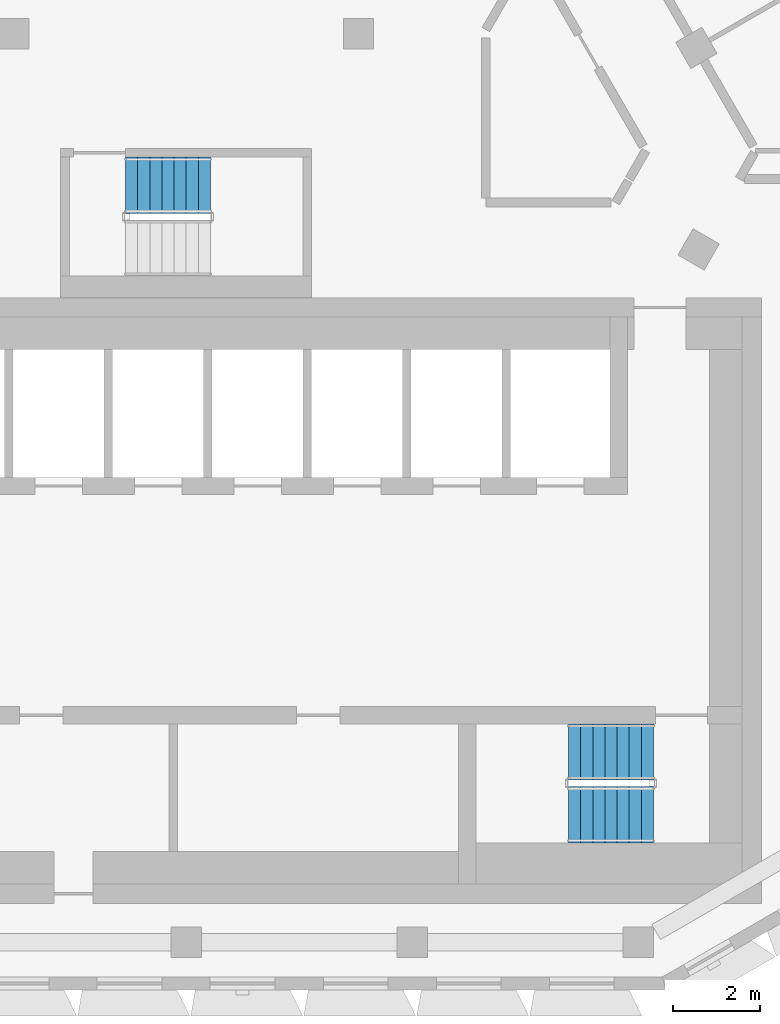
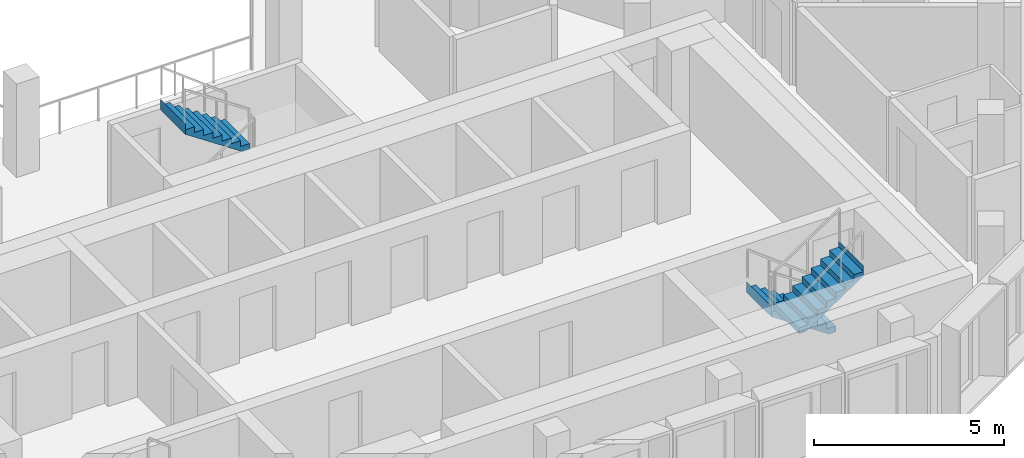
# One storey, part 11 of 16: 3 stair flights, 2 elements without a shape of their own.
"""IFC4 building model written with IfcOpenShell, lengths in metres."""

import ifcopenshell
import ifcopenshell.guid

model = None  # the IFC model being written
_history = None  # IfcOwnerHistory: only IFC2X3 demands one
_inside = {}  # id of a spatial element -> (the spatial element, [elements in it])
_under = {}  # id of a project, library or spatial element -> (it, [spatial elements below it])
_declared = {}  # id of a project -> (the project, [libraries it declares])
_typed = {}  # id of a type object -> (the type object, [elements of that type])
_made_of = {}  # id of a material, layer set ... -> (it, [elements and type objects made of it])


def new_model(schema):
    """Start an empty IFC model of exactly this schema.

    Asked for "IFC4X3", IfcOpenShell would pick the latest addendum, in which some entities
    have other attributes; the version numbers below select the first issue.
    IFC2X3 requires an IfcOwnerHistory on every rooted entity: one is made here for all.
    """
    global model, _history
    if schema == "IFC4X3":
        model = ifcopenshell.file(schema_version=(4, 3, 0, 0))
    else:
        model = ifcopenshell.file(schema=schema)
    _inside.clear()
    _under.clear()
    _declared.clear()
    _typed.clear()
    _made_of.clear()
    _history = None
    if model.schema == "IFC2X3":
        org = make("IfcOrganization", Name="unknown")
        user = make(
            "IfcPersonAndOrganization",
            ThePerson=make("IfcPerson", FamilyName="unknown"),
            TheOrganization=org,
        )
        app = make(
            "IfcApplication",
            ApplicationDeveloper=org,
            Version="unknown",
            ApplicationFullName="unknown",
            ApplicationIdentifier="unknown",
        )
        _history = make(
            "IfcOwnerHistory",
            OwningUser=user,
            OwningApplication=app,
            ChangeAction="ADDED",
            CreationDate=0,
        )
    return model


def make(cls, **values):
    """One entity of the class cls with the attributes given. An attribute that is None is left unset."""
    return model.create_entity(
        cls, **{name: value for name, value in values.items() if value is not None}
    )


def rooted(cls, **values):
    """An entity with a GlobalId (a new one), such as an element, a storey or a relation."""
    return make(cls, GlobalId=ifcopenshell.guid.new(), OwnerHistory=_history, **values)


def si_unit(unit_type, name, prefix=None):
    """IfcSIUnit, for example si_unit("LENGTHUNIT", "METRE", prefix="MILLI")."""
    return make("IfcSIUnit", UnitType=unit_type, Prefix=prefix, Name=name)


def assignment(units):
    """IfcUnitAssignment: the units of a project."""
    return None if units is None else make("IfcUnitAssignment", Units=units)


def point(xyz):
    """IfcCartesianPoint."""
    return None if xyz is None else make("IfcCartesianPoint", Coordinates=xyz)


def direction(xyz):
    """IfcDirection."""
    return None if xyz is None else make("IfcDirection", DirectionRatios=xyz)


def frame(location, z_axis=None, x_axis=None):
    """IfcAxis2Placement3D, a coordinate frame: its origin and axes. An axis left out is left unset."""
    return make(
        "IfcAxis2Placement3D",
        Location=point(location),
        Axis=direction(z_axis),
        RefDirection=direction(x_axis),
    )


def origin():
    """The frame at (0, 0, 0) with its axes left unset."""
    return frame((0.0, 0.0, 0.0))


def place(relative_to, where):
    """IfcLocalPlacement: puts the frame where relative to a parent placement (None: the world)."""
    return make(
        "IfcLocalPlacement", PlacementRelTo=relative_to, RelativePlacement=where
    )


def context(
    kind, dimensions, precision=None, world=None, true_north=None, identifier=None
):
    """IfcGeometricRepresentationContext, for example the 3D "Model" context."""
    return make(
        "IfcGeometricRepresentationContext",
        ContextIdentifier=identifier,
        ContextType=kind,
        CoordinateSpaceDimension=dimensions,
        Precision=precision,
        WorldCoordinateSystem=world,
        TrueNorth=true_north,
    )


def subcontext(parent, identifier, kind, view, scale=None):
    """IfcGeometricRepresentationSubContext, for example "Body" below "Model"."""
    return make(
        "IfcGeometricRepresentationSubContext",
        ContextIdentifier=identifier,
        ContextType=kind,
        ParentContext=parent,
        TargetScale=scale,
        TargetView=view,
    )


def project(units=None, contexts=None):
    """IfcProject with its units and contexts."""
    return rooted(
        "IfcProject",
        Name="project",
        RepresentationContexts=contexts,
        UnitsInContext=assignment(units),
    )


def spatial(cls, under=None, at=None, **own):
    """A site, building, storey or space (cls), placed at a placement, below another one or the project."""
    s = rooted(cls, ObjectPlacement=at, **own)
    if under is not None:
        _under.setdefault(under.id(), (under, []))[1].append(s)
    return s


def point_list(points):
    """IfcCartesianPointList2D or 3D."""
    cls = (
        "IfcCartesianPointList2D" if len(points[0]) == 2 else "IfcCartesianPointList3D"
    )
    return make(cls, CoordList=points)


def triangles(points, corners, closed=None, point_numbers=None):
    """IfcTriangulatedFaceSet: each triangle names its three corners, points numbered from 1."""
    return make(
        "IfcTriangulatedFaceSet",
        Coordinates=point_list(points),
        Closed=closed,
        CoordIndex=corners,
        PnIndex=point_numbers,
    )


def shape(context_of_items, identifier, shape_type, items):
    """IfcShapeRepresentation: the items that make up one representation, for example the "Body"."""
    return make(
        "IfcShapeRepresentation",
        ContextOfItems=context_of_items,
        RepresentationIdentifier=identifier,
        RepresentationType=shape_type,
        Items=items,
    )


def material(Name=None, Category=None):
    """IfcMaterial."""
    return make("IfcMaterial", Name=Name, Category=Category)


def made_of(thing, what):
    """Note that an element or type object is made of a material, layer set ...; save() writes the relation."""
    if what is not None:
        _made_of.setdefault(what.id(), (what, []))[1].append(thing)
    return thing


def type_object(cls, material=None, **own):
    """A type object (cls), such as IfcWallType, which elements share."""
    return made_of(rooted(cls, **own), material)


def element(
    cls,
    number,
    at=None,
    inside=None,
    cuts=None,
    type_object=None,
    material=None,
    context=None,
    identifier="Body",
    shape_type=None,
    held_by="IfcProductDefinitionShape",
    body=None,
    shapes=None,
    **own,
):
    """One element of the class cls, such as IfcWall. Its Tag is "e" and its number.

    at: its placement. inside: the storey or other place that contains it. cuts: it is an
    opening in that element (IfcRelVoidsElement). A single representation is given by context,
    identifier, shape_type and body (its items); several are given by shapes. held_by: the class
    of the entity that holds the representations. save() writes the other relations.
    """
    e = rooted(cls, Tag="e%d" % number, ObjectPlacement=at, **own)
    if body is not None:
        shapes = [shape(context, identifier, shape_type, body)]
    if shapes is not None:
        e.Representation = make(held_by, Representations=shapes)
    if inside is not None:
        _inside.setdefault(inside.id(), (inside, []))[1].append(e)
    if cuts is not None:
        rooted(
            "IfcRelVoidsElement", RelatingBuildingElement=cuts, RelatedOpeningElement=e
        )
    if type_object is not None:
        _typed.setdefault(type_object.id(), (type_object, []))[1].append(e)
    return made_of(e, material)


def aggregate(whole, parts):
    """IfcRelAggregates: a whole, such as a stair, and the parts it consists of."""
    return rooted("IfcRelAggregates", RelatingObject=whole, RelatedObjects=parts)


def save(model, path):
    """Write the relations noted so far, then the file.

    IfcRelAggregates (storeys below a building ...), IfcRelContainedInSpatialStructure (elements
    in a storey), IfcRelDefinesByType, IfcRelAssociatesMaterial and IfcRelDeclares: one each for
    every whole, place, type object, material and project.
    """
    for whole, parts in _under.values():
        aggregate(whole, parts)
    for where, things in _inside.values():
        rooted(
            "IfcRelContainedInSpatialStructure",
            RelatedElements=things,
            RelatingStructure=where,
        )
    for kind, things in _typed.values():
        rooted("IfcRelDefinesByType", RelatedObjects=things, RelatingType=kind)
    for what, things in _made_of.values():
        rooted("IfcRelAssociatesMaterial", RelatedObjects=things, RelatingMaterial=what)
    for by, libraries in _declared.values():
        rooted("IfcRelDeclares", RelatingContext=by, RelatedDefinitions=libraries)
    model.write(path)


model = new_model("IFC4")

# Units and contexts
model_context = context("Model", 3, precision=1e-05, world=origin(), true_north=direction((0.0, 1.0)))
body_context = subcontext(model_context, "Body", "Model", "MODEL_VIEW")
ifc_project = project(units=[si_unit("LENGTHUNIT", "METRE"), si_unit("AREAUNIT", "SQUARE_METRE"), si_unit("VOLUMEUNIT", "CUBIC_METRE"), si_unit("PLANEANGLEUNIT", "RADIAN"), si_unit("MASSUNIT", "GRAM", prefix="KILO")], contexts=[model_context])

# Site, building, storey
site_placement = place(None, origin())
site = spatial("IfcSite", under=ifc_project, at=site_placement, CompositionType="ELEMENT")
building_placement = place(site_placement, origin())
building = spatial("IfcBuilding", under=site, at=building_placement, Name="Beryl Residences", CompositionType="ELEMENT")
storey_placement = place(building_placement, frame((0.0, 0.0, 208.800048828125)))
storey = spatial("IfcBuildingStorey", under=building, at=storey_placement, Name="L64", CompositionType="ELEMENT", Elevation=208.800048828125)

# Stair, stair flights
ifc_material_1 = material(Name="Concrete C40/50", Category="concrete")
stair_type = type_object("IfcStairType", Name="ST1 protected exit stair, half-turn, 1300 mm flights", PredefinedType="HALF_TURN_STAIR", material=ifc_material_1)
stair_1_placement = place(storey_placement, origin())
stair_1 = element("IfcStair", 1, at=stair_1_placement, inside=storey, type_object=stair_type, Name="L64 PROTECTED EXIT STAIR ST-3", PredefinedType="HALF_TURN_STAIR")
ifc_material_2 = material(Name="Concrete C40/50", Category="concrete")
stair_flight_type = type_object("IfcStairFlightType", Name="SF1 stair flight 1300 mm", PredefinedType="STRAIGHT", material=ifc_material_2)
stair_flight_1_placement = place(storey_placement, frame((10.800048828125, -15.5, 0.0), z_axis=(0.0, 0.0, 1.0), x_axis=(-1.0, 0.0, 0.0)))
stair_flight_1 = element("IfcStairFlight", 2, at=stair_flight_1_placement, type_object=stair_flight_type, Name="ST-3 flight 1", NumberOfRisers=8, NumberOfTreads=7, PredefinedType="STRAIGHT", RiserHeight=0.1875, TreadLength=0.28, context=body_context, shape_type="Tessellation", body=[
    triangles([(0.0, -0.64990234375, 0.0), (0.0, -0.324951171875, 0.0), (0.0, 0.0, 0.0), (0.0, 0.324951171875, 0.0), (0.0, 0.64990234375, 0.0), (0.0, -0.64990234375, 0.1875), (0.0, -0.324951171875, 0.1875), (0.0, 0.0, 0.1875), (0.0, 0.324951171875, 0.1875), (0.0, 0.64990234375, 0.1875), (0.280029296875, -0.64990234375, 0.1875), (0.280029296875, -0.324951171875, 0.1875), (0.280029296875, 0.0, 0.1875), (0.280029296875, 0.324951171875, 0.1875), (0.280029296875, 0.64990234375, 0.1875), (0.280029296875, -0.64990234375, 0.375), (0.280029296875, -0.324951171875, 0.375), (0.280029296875, 0.0, 0.375), (0.280029296875, 0.324951171875, 0.375), (0.280029296875, 0.64990234375, 0.375), (0.56005859375, -0.64990234375, 0.375), (0.56005859375, -0.324951171875, 0.375), (0.56005859375, 0.0, 0.375), (0.56005859375, 0.324951171875, 0.375), (0.56005859375, 0.64990234375, 0.375), (0.56005859375, -0.64990234375, 0.5625), (0.56005859375, -0.324951171875, 0.5625), (0.56005859375, 0.0, 0.5625), (0.56005859375, 0.324951171875, 0.5625), (0.56005859375, 0.64990234375, 0.5625), (0.840087890625, -0.64990234375, 0.5625), (0.840087890625, -0.324951171875, 0.5625), (0.840087890625, 0.0, 0.5625), (0.840087890625, 0.324951171875, 0.5625), (0.840087890625, 0.64990234375, 0.5625), (0.840087890625, -0.64990234375, 0.75), (0.840087890625, -0.324951171875, 0.75), (0.840087890625, 0.0, 0.75), (0.840087890625, 0.324951171875, 0.75), (0.840087890625, 0.64990234375, 0.75), (1.1201171875, -0.64990234375, 0.75), (1.1201171875, -0.324951171875, 0.75), (1.1201171875, 0.0, 0.75), (1.1201171875, 0.324951171875, 0.75), (1.1201171875, 0.64990234375, 0.75), (1.1201171875, -0.64990234375, 0.9375), (1.1201171875, -0.324951171875, 0.9375), (1.1201171875, 0.0, 0.9375), (1.1201171875, 0.324951171875, 0.9375), (1.1201171875, 0.64990234375, 0.9375), (1.39990234375, -0.64990234375, 0.9375), (1.39990234375, -0.324951171875, 0.9375), (1.39990234375, 0.0, 0.9375), (1.39990234375, 0.324951171875, 0.9375), (1.39990234375, 0.64990234375, 0.9375), (1.39990234375, -0.64990234375, 1.125), (1.39990234375, -0.324951171875, 1.125), (1.39990234375, 0.0, 1.125), (1.39990234375, 0.324951171875, 1.125), (1.39990234375, 0.64990234375, 1.125), (1.679931640625, -0.64990234375, 1.125), (1.679931640625, -0.324951171875, 1.125), (1.679931640625, 0.0, 1.125), (1.679931640625, 0.324951171875, 1.125), (1.679931640625, 0.64990234375, 1.125), (1.679931640625, -0.64990234375, 1.3125), (1.679931640625, -0.324951171875, 1.3125), (1.679931640625, 0.0, 1.3125), (1.679931640625, 0.324951171875, 1.3125), (1.679931640625, 0.64990234375, 1.3125), (1.9599609375, -0.64990234375, 1.3125), (1.9599609375, -0.324951171875, 1.3125), (1.9599609375, 0.0, 1.3125), (1.9599609375, 0.324951171875, 1.3125), (1.9599609375, 0.64990234375, 1.3125), (1.9599609375, -0.64990234375, 1.5), (1.9599609375, -0.324951171875, 1.5), (1.9599609375, 0.0, 1.5), (1.9599609375, 0.324951171875, 1.5), (1.9599609375, 0.64990234375, 1.5), (1.9609375, -0.64990234375, 1.5), (1.9609375, -0.324951171875, 1.5), (1.9609375, 0.0, 1.5), (1.9609375, 0.324951171875, 1.5), (1.9609375, 0.64990234375, 1.5), (1.9609375, -0.64990234375, 1.16796875), (1.9609375, -0.324951171875, 1.16796875), (1.9609375, 0.0, 1.16796875), (1.9609375, 0.324951171875, 1.16796875), (1.9609375, 0.64990234375, 1.16796875), (0.216796875, -0.64990234375, 0.0), (0.216796875, -0.324951171875, 0.0), (0.216796875, 0.0, 0.0), (0.216796875, 0.324951171875, 0.0), (0.216796875, 0.64990234375, 0.0)], [[1, 6, 7], [1, 7, 2], [2, 7, 8], [2, 8, 3], [3, 8, 9], [3, 9, 4], [4, 9, 10], [4, 10, 5], [6, 11, 12], [6, 12, 7], [7, 12, 13], [7, 13, 8], [8, 13, 14], [8, 14, 9], [9, 14, 15], [9, 15, 10], [11, 16, 17], [11, 17, 12], [12, 17, 18], [12, 18, 13], [13, 18, 19], [13, 19, 14], [14, 19, 20], [14, 20, 15], [16, 21, 22], [16, 22, 17], [17, 22, 23], [17, 23, 18], [18, 23, 24], [18, 24, 19], [19, 24, 25], [19, 25, 20], [21, 26, 27], [21, 27, 22], [22, 27, 28], [22, 28, 23], [23, 28, 29], [23, 29, 24], [24, 29, 30], [24, 30, 25], [26, 31, 32], [26, 32, 27], [27, 32, 33], [27, 33, 28], [28, 33, 34], [28, 34, 29], [29, 34, 35], [29, 35, 30], [31, 36, 37], [31, 37, 32], [32, 37, 38], [32, 38, 33], [33, 38, 39], [33, 39, 34], [34, 39, 40], [34, 40, 35], [36, 41, 42], [36, 42, 37], [37, 42, 43], [37, 43, 38], [38, 43, 44], [38, 44, 39], [39, 44, 45], [39, 45, 40], [41, 46, 47], [41, 47, 42], [42, 47, 48], [42, 48, 43], [43, 48, 49], [43, 49, 44], [44, 49, 50], [44, 50, 45], [46, 51, 52], [46, 52, 47], [47, 52, 53], [47, 53, 48], [48, 53, 54], [48, 54, 49], [49, 54, 55], [49, 55, 50], [51, 56, 57], [51, 57, 52], [52, 57, 58], [52, 58, 53], [53, 58, 59], [53, 59, 54], [54, 59, 60], [54, 60, 55], [56, 61, 62], [56, 62, 57], [57, 62, 63], [57, 63, 58], [58, 63, 64], [58, 64, 59], [59, 64, 65], [59, 65, 60], [61, 66, 67], [61, 67, 62], [62, 67, 68], [62, 68, 63], [63, 68, 69], [63, 69, 64], [64, 69, 70], [64, 70, 65], [66, 71, 72], [66, 72, 67], [67, 72, 73], [67, 73, 68], [68, 73, 74], [68, 74, 69], [69, 74, 75], [69, 75, 70], [71, 76, 77], [71, 77, 72], [72, 77, 78], [72, 78, 73], [73, 78, 79], [73, 79, 74], [74, 79, 80], [74, 80, 75], [76, 81, 82], [76, 82, 77], [77, 82, 83], [77, 83, 78], [78, 83, 84], [78, 84, 79], [79, 84, 85], [79, 85, 80], [81, 86, 87], [81, 87, 82], [82, 87, 88], [82, 88, 83], [83, 88, 89], [83, 89, 84], [84, 89, 90], [84, 90, 85], [86, 91, 92], [86, 92, 87], [87, 92, 93], [87, 93, 88], [88, 93, 94], [88, 94, 89], [89, 94, 95], [89, 95, 90], [91, 1, 2], [91, 2, 92], [92, 2, 3], [92, 3, 93], [93, 3, 4], [93, 4, 94], [94, 4, 5], [94, 5, 95], [1, 91, 86], [5, 90, 95], [86, 81, 76], [90, 80, 85], [86, 76, 71], [90, 75, 80], [86, 71, 66], [90, 70, 75], [86, 66, 61], [90, 65, 70], [61, 56, 51], [65, 55, 60], [86, 61, 51], [90, 55, 65], [51, 46, 41], [55, 45, 50], [86, 51, 41], [90, 45, 55], [41, 36, 31], [45, 35, 40], [86, 41, 31], [90, 35, 45], [31, 26, 21], [35, 25, 30], [86, 31, 21], [90, 25, 35], [21, 16, 11], [25, 15, 20], [86, 21, 11], [90, 15, 25], [1, 86, 11], [5, 15, 90], [11, 6, 1], [15, 5, 10]], closed=True),
])
stair_flight_2_placement = place(storey_placement, frame((8.840087890625, -16.949951171875, 1.5), z_axis=(0.0, 0.0, 1.0), x_axis=(1.0, 0.0, 0.0)))
stair_flight_2 = element("IfcStairFlight", 3, at=stair_flight_2_placement, type_object=stair_flight_type, Name="ST-3 flight 2", NumberOfRisers=8, NumberOfTreads=7, PredefinedType="STRAIGHT", RiserHeight=0.1875, TreadLength=0.28, context=body_context, shape_type="Tessellation", body=[
    triangles([(0.0, -0.64990234375, 0.0), (0.0, -0.324951171875, 0.0), (0.0, 0.0, 0.0), (0.0, 0.324951171875, 0.0), (0.0, 0.64990234375, 0.0), (0.0, -0.64990234375, 0.1875), (0.0, -0.324951171875, 0.1875), (0.0, 0.0, 0.1875), (0.0, 0.324951171875, 0.1875), (0.0, 0.64990234375, 0.1875), (0.280029296875, -0.64990234375, 0.1875), (0.280029296875, -0.324951171875, 0.1875), (0.280029296875, 0.0, 0.1875), (0.280029296875, 0.324951171875, 0.1875), (0.280029296875, 0.64990234375, 0.1875), (0.280029296875, -0.64990234375, 0.375), (0.280029296875, -0.324951171875, 0.375), (0.280029296875, 0.0, 0.375), (0.280029296875, 0.324951171875, 0.375), (0.280029296875, 0.64990234375, 0.375), (0.56005859375, -0.64990234375, 0.375), (0.56005859375, -0.324951171875, 0.375), (0.56005859375, 0.0, 0.375), (0.56005859375, 0.324951171875, 0.375), (0.56005859375, 0.64990234375, 0.375), (0.56005859375, -0.64990234375, 0.5625), (0.56005859375, -0.324951171875, 0.5625), (0.56005859375, 0.0, 0.5625), (0.56005859375, 0.324951171875, 0.5625), (0.56005859375, 0.64990234375, 0.5625), (0.840087890625, -0.64990234375, 0.5625), (0.840087890625, -0.324951171875, 0.5625), (0.840087890625, 0.0, 0.5625), (0.840087890625, 0.324951171875, 0.5625), (0.840087890625, 0.64990234375, 0.5625), (0.840087890625, -0.64990234375, 0.75), (0.840087890625, -0.324951171875, 0.75), (0.840087890625, 0.0, 0.75), (0.840087890625, 0.324951171875, 0.75), (0.840087890625, 0.64990234375, 0.75), (1.1201171875, -0.64990234375, 0.75), (1.1201171875, -0.324951171875, 0.75), (1.1201171875, 0.0, 0.75), (1.1201171875, 0.324951171875, 0.75), (1.1201171875, 0.64990234375, 0.75), (1.1201171875, -0.64990234375, 0.9375), (1.1201171875, -0.324951171875, 0.9375), (1.1201171875, 0.0, 0.9375), (1.1201171875, 0.324951171875, 0.9375), (1.1201171875, 0.64990234375, 0.9375), (1.39990234375, -0.64990234375, 0.9375), (1.39990234375, -0.324951171875, 0.9375), (1.39990234375, 0.0, 0.9375), (1.39990234375, 0.324951171875, 0.9375), (1.39990234375, 0.64990234375, 0.9375), (1.39990234375, -0.64990234375, 1.125), (1.39990234375, -0.324951171875, 1.125), (1.39990234375, 0.0, 1.125), (1.39990234375, 0.324951171875, 1.125), (1.39990234375, 0.64990234375, 1.125), (1.679931640625, -0.64990234375, 1.125), (1.679931640625, -0.324951171875, 1.125), (1.679931640625, 0.0, 1.125), (1.679931640625, 0.324951171875, 1.125), (1.679931640625, 0.64990234375, 1.125), (1.679931640625, -0.64990234375, 1.3125), (1.679931640625, -0.324951171875, 1.3125), (1.679931640625, 0.0, 1.3125), (1.679931640625, 0.324951171875, 1.3125), (1.679931640625, 0.64990234375, 1.3125), (1.9599609375, -0.64990234375, 1.3125), (1.9599609375, -0.324951171875, 1.3125), (1.9599609375, 0.0, 1.3125), (1.9599609375, 0.324951171875, 1.3125), (1.9599609375, 0.64990234375, 1.3125), (1.9599609375, -0.64990234375, 1.5), (1.9599609375, -0.324951171875, 1.5), (1.9599609375, 0.0, 1.5), (1.9599609375, 0.324951171875, 1.5), (1.9599609375, 0.64990234375, 1.5), (1.9609375, -0.64990234375, 1.5), (1.9609375, -0.324951171875, 1.5), (1.9609375, 0.0, 1.5), (1.9609375, 0.324951171875, 1.5), (1.9609375, 0.64990234375, 1.5), (1.9609375, -0.64990234375, 1.16796875), (1.9609375, -0.324951171875, 1.16796875), (1.9609375, 0.0, 1.16796875), (1.9609375, 0.324951171875, 1.16796875), (1.9609375, 0.64990234375, 1.16796875), (0.216796875, -0.64990234375, 0.0), (0.216796875, -0.324951171875, 0.0), (0.216796875, 0.0, 0.0), (0.216796875, 0.324951171875, 0.0), (0.216796875, 0.64990234375, 0.0)], [[1, 6, 7], [1, 7, 2], [2, 7, 8], [2, 8, 3], [3, 8, 9], [3, 9, 4], [4, 9, 10], [4, 10, 5], [6, 11, 12], [6, 12, 7], [7, 12, 13], [7, 13, 8], [8, 13, 14], [8, 14, 9], [9, 14, 15], [9, 15, 10], [11, 16, 17], [11, 17, 12], [12, 17, 18], [12, 18, 13], [13, 18, 19], [13, 19, 14], [14, 19, 20], [14, 20, 15], [16, 21, 22], [16, 22, 17], [17, 22, 23], [17, 23, 18], [18, 23, 24], [18, 24, 19], [19, 24, 25], [19, 25, 20], [21, 26, 27], [21, 27, 22], [22, 27, 28], [22, 28, 23], [23, 28, 29], [23, 29, 24], [24, 29, 30], [24, 30, 25], [26, 31, 32], [26, 32, 27], [27, 32, 33], [27, 33, 28], [28, 33, 34], [28, 34, 29], [29, 34, 35], [29, 35, 30], [31, 36, 37], [31, 37, 32], [32, 37, 38], [32, 38, 33], [33, 38, 39], [33, 39, 34], [34, 39, 40], [34, 40, 35], [36, 41, 42], [36, 42, 37], [37, 42, 43], [37, 43, 38], [38, 43, 44], [38, 44, 39], [39, 44, 45], [39, 45, 40], [41, 46, 47], [41, 47, 42], [42, 47, 48], [42, 48, 43], [43, 48, 49], [43, 49, 44], [44, 49, 50], [44, 50, 45], [46, 51, 52], [46, 52, 47], [47, 52, 53], [47, 53, 48], [48, 53, 54], [48, 54, 49], [49, 54, 55], [49, 55, 50], [51, 56, 57], [51, 57, 52], [52, 57, 58], [52, 58, 53], [53, 58, 59], [53, 59, 54], [54, 59, 60], [54, 60, 55], [56, 61, 62], [56, 62, 57], [57, 62, 63], [57, 63, 58], [58, 63, 64], [58, 64, 59], [59, 64, 65], [59, 65, 60], [61, 66, 67], [61, 67, 62], [62, 67, 68], [62, 68, 63], [63, 68, 69], [63, 69, 64], [64, 69, 70], [64, 70, 65], [66, 71, 72], [66, 72, 67], [67, 72, 73], [67, 73, 68], [68, 73, 74], [68, 74, 69], [69, 74, 75], [69, 75, 70], [71, 76, 77], [71, 77, 72], [72, 77, 78], [72, 78, 73], [73, 78, 79], [73, 79, 74], [74, 79, 80], [74, 80, 75], [76, 81, 82], [76, 82, 77], [77, 82, 83], [77, 83, 78], [78, 83, 84], [78, 84, 79], [79, 84, 85], [79, 85, 80], [81, 86, 87], [81, 87, 82], [82, 87, 88], [82, 88, 83], [83, 88, 89], [83, 89, 84], [84, 89, 90], [84, 90, 85], [86, 91, 92], [86, 92, 87], [87, 92, 93], [87, 93, 88], [88, 93, 94], [88, 94, 89], [89, 94, 95], [89, 95, 90], [91, 1, 2], [91, 2, 92], [92, 2, 3], [92, 3, 93], [93, 3, 4], [93, 4, 94], [94, 4, 5], [94, 5, 95], [1, 91, 86], [5, 90, 95], [86, 81, 76], [90, 80, 85], [86, 76, 71], [90, 75, 80], [86, 71, 66], [90, 70, 75], [86, 66, 61], [90, 65, 70], [61, 56, 51], [65, 55, 60], [86, 61, 51], [90, 55, 65], [51, 46, 41], [55, 45, 50], [86, 51, 41], [90, 45, 55], [41, 36, 31], [45, 35, 40], [86, 41, 31], [90, 35, 45], [31, 26, 21], [35, 25, 30], [86, 31, 21], [90, 25, 35], [21, 16, 11], [25, 15, 20], [86, 21, 11], [90, 15, 25], [1, 86, 11], [5, 15, 90], [11, 6, 1], [15, 5, 10]], closed=True),
])
aggregate(stair_1, [stair_flight_1, stair_flight_2])

# Stair, stair flight
stair_2_placement = place(storey_placement, origin())
stair_2 = element("IfcStair", 4, at=stair_2_placement, inside=storey, type_object=stair_type, Name="L64 PROTECTED EXIT STAIR ST-4", PredefinedType="HALF_TURN_STAIR")
stair_flight_3_placement = place(storey_placement, frame((0.56005859375, -2.39990234375, 1.5), z_axis=(0.0, 0.0, 1.0), x_axis=(-1.0, 0.0, 0.0)))
stair_flight_3 = element("IfcStairFlight", 5, at=stair_flight_3_placement, type_object=stair_flight_type, Name="ST-4 flight 2", NumberOfRisers=8, NumberOfTreads=7, PredefinedType="STRAIGHT", RiserHeight=0.1875, TreadLength=0.28, context=body_context, shape_type="Tessellation", body=[
    triangles([(0.0, -0.64990234375, 0.0), (0.0, -0.324951171875, 0.0), (0.0, 0.0, 0.0), (0.0, 0.324951171875, 0.0), (0.0, 0.64990234375, 0.0), (0.0, -0.64990234375, 0.1875), (0.0, -0.324951171875, 0.1875), (0.0, 0.0, 0.1875), (0.0, 0.324951171875, 0.1875), (0.0, 0.64990234375, 0.1875), (0.280029296875, -0.64990234375, 0.1875), (0.280029296875, -0.324951171875, 0.1875), (0.280029296875, 0.0, 0.1875), (0.280029296875, 0.324951171875, 0.1875), (0.280029296875, 0.64990234375, 0.1875), (0.280029296875, -0.64990234375, 0.375), (0.280029296875, -0.324951171875, 0.375), (0.280029296875, 0.0, 0.375), (0.280029296875, 0.324951171875, 0.375), (0.280029296875, 0.64990234375, 0.375), (0.56005859375, -0.64990234375, 0.375), (0.56005859375, -0.324951171875, 0.375), (0.56005859375, 0.0, 0.375), (0.56005859375, 0.324951171875, 0.375), (0.56005859375, 0.64990234375, 0.375), (0.56005859375, -0.64990234375, 0.5625), (0.56005859375, -0.324951171875, 0.5625), (0.56005859375, 0.0, 0.5625), (0.56005859375, 0.324951171875, 0.5625), (0.56005859375, 0.64990234375, 0.5625), (0.840087890625, -0.64990234375, 0.5625), (0.840087890625, -0.324951171875, 0.5625), (0.840087890625, 0.0, 0.5625), (0.840087890625, 0.324951171875, 0.5625), (0.840087890625, 0.64990234375, 0.5625), (0.840087890625, -0.64990234375, 0.75), (0.840087890625, -0.324951171875, 0.75), (0.840087890625, 0.0, 0.75), (0.840087890625, 0.324951171875, 0.75), (0.840087890625, 0.64990234375, 0.75), (1.1201171875, -0.64990234375, 0.75), (1.1201171875, -0.324951171875, 0.75), (1.1201171875, 0.0, 0.75), (1.1201171875, 0.324951171875, 0.75), (1.1201171875, 0.64990234375, 0.75), (1.1201171875, -0.64990234375, 0.9375), (1.1201171875, -0.324951171875, 0.9375), (1.1201171875, 0.0, 0.9375), (1.1201171875, 0.324951171875, 0.9375), (1.1201171875, 0.64990234375, 0.9375), (1.39990234375, -0.64990234375, 0.9375), (1.39990234375, -0.324951171875, 0.9375), (1.39990234375, 0.0, 0.9375), (1.39990234375, 0.324951171875, 0.9375), (1.39990234375, 0.64990234375, 0.9375), (1.39990234375, -0.64990234375, 1.125), (1.39990234375, -0.324951171875, 1.125), (1.39990234375, 0.0, 1.125), (1.39990234375, 0.324951171875, 1.125), (1.39990234375, 0.64990234375, 1.125), (1.679931640625, -0.64990234375, 1.125), (1.679931640625, -0.324951171875, 1.125), (1.679931640625, 0.0, 1.125), (1.679931640625, 0.324951171875, 1.125), (1.679931640625, 0.64990234375, 1.125), (1.679931640625, -0.64990234375, 1.3125), (1.679931640625, -0.324951171875, 1.3125), (1.679931640625, 0.0, 1.3125), (1.679931640625, 0.324951171875, 1.3125), (1.679931640625, 0.64990234375, 1.3125), (1.9599609375, -0.64990234375, 1.3125), (1.9599609375, -0.324951171875, 1.3125), (1.9599609375, 0.0, 1.3125), (1.9599609375, 0.324951171875, 1.3125), (1.9599609375, 0.64990234375, 1.3125), (1.9599609375, -0.64990234375, 1.5), (1.9599609375, -0.324951171875, 1.5), (1.9599609375, 0.0, 1.5), (1.9599609375, 0.324951171875, 1.5), (1.9599609375, 0.64990234375, 1.5), (1.9609375, -0.64990234375, 1.5), (1.9609375, -0.324951171875, 1.5), (1.9609375, 0.0, 1.5), (1.9609375, 0.324951171875, 1.5), (1.9609375, 0.64990234375, 1.5), (1.9609375, -0.64990234375, 1.16796875), (1.9609375, -0.324951171875, 1.16796875), (1.9609375, 0.0, 1.16796875), (1.9609375, 0.324951171875, 1.16796875), (1.9609375, 0.64990234375, 1.16796875), (0.216796875, -0.64990234375, 0.0), (0.216796875, -0.324951171875, 0.0), (0.216796875, 0.0, 0.0), (0.216796875, 0.324951171875, 0.0), (0.216796875, 0.64990234375, 0.0)], [[1, 6, 7], [1, 7, 2], [2, 7, 8], [2, 8, 3], [3, 8, 9], [3, 9, 4], [4, 9, 10], [4, 10, 5], [6, 11, 12], [6, 12, 7], [7, 12, 13], [7, 13, 8], [8, 13, 14], [8, 14, 9], [9, 14, 15], [9, 15, 10], [11, 16, 17], [11, 17, 12], [12, 17, 18], [12, 18, 13], [13, 18, 19], [13, 19, 14], [14, 19, 20], [14, 20, 15], [16, 21, 22], [16, 22, 17], [17, 22, 23], [17, 23, 18], [18, 23, 24], [18, 24, 19], [19, 24, 25], [19, 25, 20], [21, 26, 27], [21, 27, 22], [22, 27, 28], [22, 28, 23], [23, 28, 29], [23, 29, 24], [24, 29, 30], [24, 30, 25], [26, 31, 32], [26, 32, 27], [27, 32, 33], [27, 33, 28], [28, 33, 34], [28, 34, 29], [29, 34, 35], [29, 35, 30], [31, 36, 37], [31, 37, 32], [32, 37, 38], [32, 38, 33], [33, 38, 39], [33, 39, 34], [34, 39, 40], [34, 40, 35], [36, 41, 42], [36, 42, 37], [37, 42, 43], [37, 43, 38], [38, 43, 44], [38, 44, 39], [39, 44, 45], [39, 45, 40], [41, 46, 47], [41, 47, 42], [42, 47, 48], [42, 48, 43], [43, 48, 49], [43, 49, 44], [44, 49, 50], [44, 50, 45], [46, 51, 52], [46, 52, 47], [47, 52, 53], [47, 53, 48], [48, 53, 54], [48, 54, 49], [49, 54, 55], [49, 55, 50], [51, 56, 57], [51, 57, 52], [52, 57, 58], [52, 58, 53], [53, 58, 59], [53, 59, 54], [54, 59, 60], [54, 60, 55], [56, 61, 62], [56, 62, 57], [57, 62, 63], [57, 63, 58], [58, 63, 64], [58, 64, 59], [59, 64, 65], [59, 65, 60], [61, 66, 67], [61, 67, 62], [62, 67, 68], [62, 68, 63], [63, 68, 69], [63, 69, 64], [64, 69, 70], [64, 70, 65], [66, 71, 72], [66, 72, 67], [67, 72, 73], [67, 73, 68], [68, 73, 74], [68, 74, 69], [69, 74, 75], [69, 75, 70], [71, 76, 77], [71, 77, 72], [72, 77, 78], [72, 78, 73], [73, 78, 79], [73, 79, 74], [74, 79, 80], [74, 80, 75], [76, 81, 82], [76, 82, 77], [77, 82, 83], [77, 83, 78], [78, 83, 84], [78, 84, 79], [79, 84, 85], [79, 85, 80], [81, 86, 87], [81, 87, 82], [82, 87, 88], [82, 88, 83], [83, 88, 89], [83, 89, 84], [84, 89, 90], [84, 90, 85], [86, 91, 92], [86, 92, 87], [87, 92, 93], [87, 93, 88], [88, 93, 94], [88, 94, 89], [89, 94, 95], [89, 95, 90], [91, 1, 2], [91, 2, 92], [92, 2, 3], [92, 3, 93], [93, 3, 4], [93, 4, 94], [94, 4, 5], [94, 5, 95], [1, 91, 86], [5, 90, 95], [86, 81, 76], [90, 80, 85], [86, 76, 71], [90, 75, 80], [86, 71, 66], [90, 70, 75], [86, 66, 61], [90, 65, 70], [61, 56, 51], [65, 55, 60], [86, 61, 51], [90, 55, 65], [51, 46, 41], [55, 45, 50], [86, 51, 41], [90, 45, 55], [41, 36, 31], [45, 35, 40], [86, 41, 31], [90, 35, 45], [31, 26, 21], [35, 25, 30], [86, 31, 21], [90, 25, 35], [21, 16, 11], [25, 15, 20], [86, 21, 11], [90, 15, 25], [1, 86, 11], [5, 15, 90], [11, 6, 1], [15, 5, 10]], closed=True),
])
aggregate(stair_2, [stair_flight_3])

save(model, "model.ifc")
